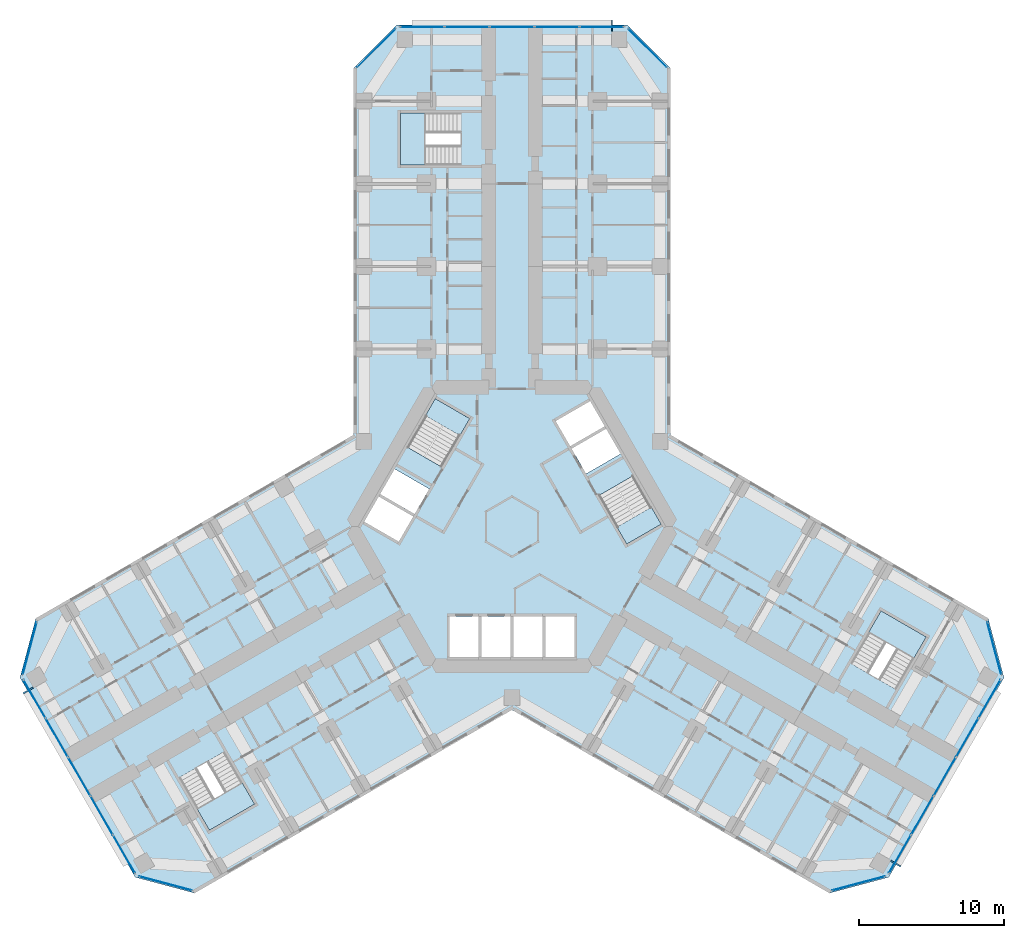
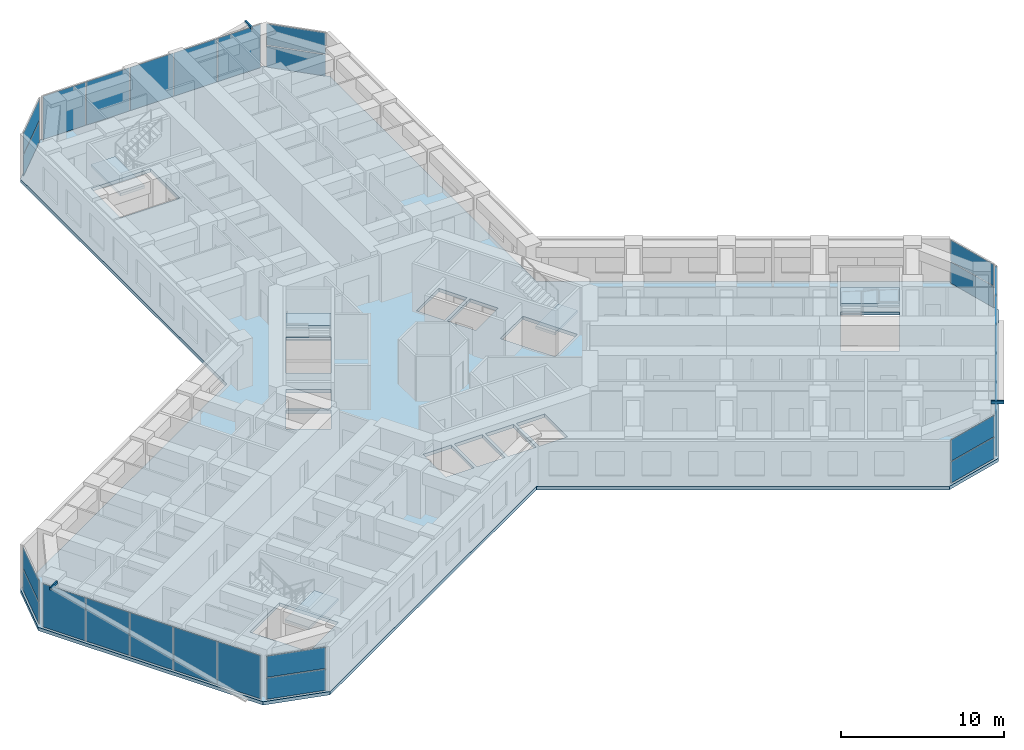
# One storey, part 9 of 21: 27 plates, 6 slabs, 3 members, 14 elements without a shape of their own.
"""IFC4 building model written with IfcOpenShell, lengths in metres."""

from ifc_helpers import new_model, si_unit, direction, frame, origin, origin_2d, place, context, subcontext, project, spatial, polyline, rectangle, hollow_rectangle, outline, extrude, material, layer, layer_set, material_profile, profile_set, type_object, element, aggregate, save


model = new_model("IFC4")

# Units and contexts
model_context = context("Model", 3, precision=1e-05, world=origin(), true_north=direction((0.0, 1.0)))
body_context = subcontext(model_context, "Body", "Model", "MODEL_VIEW")
ifc_project = project(units=[si_unit("LENGTHUNIT", "METRE"), si_unit("AREAUNIT", "SQUARE_METRE"), si_unit("VOLUMEUNIT", "CUBIC_METRE"), si_unit("PLANEANGLEUNIT", "RADIAN"), si_unit("MASSUNIT", "GRAM", prefix="KILO")], contexts=[model_context])

# Site, building, storey
site_placement = place(None, origin())
site = spatial("IfcSite", under=ifc_project, at=site_placement, CompositionType="ELEMENT")
building_placement = place(site_placement, origin())
building = spatial("IfcBuilding", under=site, at=building_placement, Name="Kosmar Iwan School Tower", CompositionType="ELEMENT")
storey_placement = place(building_placement, frame((0.0, 0.0, 43.0)))
storey = spatial("IfcBuildingStorey", under=building, at=storey_placement, Name="L09", CompositionType="ELEMENT", Elevation=43.0)

# Members
ifc_material_1 = material(Name="Steel S355", Category="steel")
ifc_material_profile = material_profile(ifc_material_1, hollow_rectangle(XDim=0.10009765625, YDim=0.199951171875, WallThickness=0.008056640625, at=origin_2d()), Name="RHS 200x100x8")
ifc_profile_set = profile_set([ifc_material_profile], Name="Steel S355")
member_type = type_object("IfcMemberType", Name="Fin bracket RHS 200x100", PredefinedType="USERDEFINED", material=ifc_profile_set)
member_placement = place(storey_placement, frame((26.125732421875, -23.049072265625, 3.47509765625), z_axis=(0.866017831539, -0.500013115284, 0.0), x_axis=(0.500013115284, 0.866017831539, 0.0)))
element("IfcMember", 1, at=member_placement, inside=storey, type_object=member_type, Name="Fin bracket L10", ObjectType="FIN BRACKET", PredefinedType="USERDEFINED", context=body_context, shape_type="SweptSolid", body=[
    extrude(hollow_rectangle(XDim=0.10009765625, YDim=0.199951171875, WallThickness=0.008056640625, at=origin_2d()), origin(), (0.0, 0.0, 1.0), 0.7998046875),
])
for number, where, z_axis, x_axis, name in (
    (2, (6.898193359375, 34.14990234375, 3.47509765625), (0.0, 1.0, 0.0), (-1.0, 0.0, 0.0), "Fin bracket L10"),
    (3, (-33.02392578125, -11.10107421875, 3.47509765625), (-0.866094119867, -0.499880961361, 0.0), (0.499880961361, -0.866094119867, 0.0), "Fin bracket L10"),
):
    element("IfcMember", number, at=place(storey_placement, frame(where, z_axis=z_axis, x_axis=x_axis)), inside=storey, type_object=member_type, Name=name, ObjectType="FIN BRACKET", PredefinedType="USERDEFINED", context=body_context, shape_type="SweptSolid", body=[
        extrude(hollow_rectangle(XDim=0.10009765625, YDim=0.199951171875, WallThickness=0.008056640625, at=origin_2d()), origin(), (0.0, 0.0, 1.0), 0.800048828125),
    ])

# Curtain wall, plates
ifc_material_2 = material(Name="Dark glass in black aluminium frame", Category="aluminium")
curtain_wall_type_1 = type_object("IfcCurtainWallType", Name="Chamfer curtain wall dark glass", PredefinedType="USERDEFINED", material=ifc_material_2)
curtain_wall_1_placement = place(storey_placement, origin())
curtain_wall_1 = element("IfcCurtainWall", 4, at=curtain_wall_1_placement, inside=storey, type_object=curtain_wall_type_1, Name="Curtain wall L09-F02", ObjectType="FACETED CURTAIN WALL", PredefinedType="USERDEFINED")
ifc_material_3 = material(Name="Dark glass", Category="glass")
ifc_layer_1 = layer(ifc_material_3, 0.028076171875)
ifc_layer_set_1 = layer_set([ifc_layer_1], Name="Dark glass panel 28")
plate_type = type_object("IfcPlateType", Name="Dark glass panel 28", PredefinedType="CURTAIN_PANEL", material=ifc_layer_set_1)
plate_1_placement = place(storey_placement, frame((23.908203125, -24.61328125, 0.06005859375), z_axis=(0.0, 0.0, 1.0), x_axis=(0.965925875495, 0.258818861462, 0.0)))
plate_1 = element("IfcPlate", 5, at=plate_1_placement, type_object=plate_type, Name="CW2 panel 1.1", PredefinedType="CURTAIN_PANEL", context=body_context, shape_type="SweptSolid", body=[
    extrude(rectangle(XDim=3.718994140625, YDim=0.028076171875, at=origin_2d()), origin(), (0.0, 0.0, 1.0), 1.5849609375),
])
plate_2_placement = place(storey_placement, frame((23.908203125, -24.61328125, 1.705078125), z_axis=(0.0, 0.0, 1.0), x_axis=(0.965925875495, 0.258818861462, 0.0)))
plate_2 = element("IfcPlate", 6, at=plate_2_placement, type_object=plate_type, Name="CW2 panel 1.2", PredefinedType="CURTAIN_PANEL", context=body_context, shape_type="SweptSolid", body=[
    extrude(rectangle(XDim=3.718994140625, YDim=0.028076171875, at=origin_2d()), origin(), (0.0, 0.0, 1.0), 1.5849609375),
])
aggregate(curtain_wall_1, [plate_1, plate_2])

ifc_material_4 = material(Name="Dark glass in black aluminium frame", Category="aluminium")
curtain_wall_type_2 = type_object("IfcCurtainWallType", Name="Tower curtain wall dark glass", PredefinedType="USERDEFINED", material=ifc_material_4)
curtain_wall_2_placement = place(storey_placement, origin())
curtain_wall_2 = element("IfcCurtainWall", 7, at=curtain_wall_2_placement, inside=storey, type_object=curtain_wall_type_2, Name="Curtain wall L09-F03", ObjectType="UNITISED CURTAIN WALL", PredefinedType="USERDEFINED")
plate_3_placement = place(storey_placement, frame((26.764404296875, -22.592529296875, 0.06005859375), z_axis=(0.0, 0.0, 1.0), x_axis=(0.499999997325, 0.866025405329, 0.0)))
plate_3 = element("IfcPlate", 8, at=plate_3_placement, type_object=plate_type, Name="CW1 panel 1.1", PredefinedType="CURTAIN_PANEL", context=body_context, shape_type="SweptSolid", body=[
    extrude(rectangle(XDim=3.00927734375, YDim=0.028076171875, at=origin_2d()), origin(), (0.0, 0.0, 1.0), 3.22998046875),
])
plate_4_placement = place(storey_placement, frame((28.306640625, -19.921630859375, 0.06005859375), z_axis=(0.0, 0.0, 1.0), x_axis=(0.499999997325, 0.866025405329, 0.0)))
plate_4 = element("IfcPlate", 9, at=plate_4_placement, type_object=plate_type, Name="CW1 panel 2.1", PredefinedType="CURTAIN_PANEL", context=body_context, shape_type="SweptSolid", body=[
    extrude(rectangle(XDim=3.039306640625, YDim=0.028076171875, at=origin_2d()), origin(), (0.0, 0.0, 1.0), 3.22998046875),
])
plate_5_placement = place(storey_placement, frame((29.856201171875, -17.237548828125, 0.06005859375), z_axis=(0.0, 0.0, 1.0), x_axis=(0.499999997325, 0.866025405329, 0.0)))
plate_5 = element("IfcPlate", 10, at=plate_5_placement, type_object=plate_type, Name="CW1 panel 3.1", PredefinedType="CURTAIN_PANEL", context=body_context, shape_type="SweptSolid", body=[
    extrude(rectangle(XDim=3.039306640625, YDim=0.028076171875, at=origin_2d()), origin(), (0.0, 0.0, 1.0), 3.22998046875),
])
plate_6_placement = place(storey_placement, frame((31.40576171875, -14.553466796875, 0.06005859375), z_axis=(0.0, 0.0, 1.0), x_axis=(0.499999997325, 0.866025405329, 0.0)))
plate_6 = element("IfcPlate", 11, at=plate_6_placement, type_object=plate_type, Name="CW1 panel 4.1", PredefinedType="CURTAIN_PANEL", context=body_context, shape_type="SweptSolid", body=[
    extrude(rectangle(XDim=3.039306640625, YDim=0.028076171875, at=origin_2d()), origin(), (0.0, 0.0, 1.0), 3.22998046875),
])
plate_7_placement = place(storey_placement, frame((32.947998046875, -11.88232421875, 0.06005859375), z_axis=(0.0, 0.0, 1.0), x_axis=(0.499999997325, 0.866025405329, 0.0)))
plate_7 = element("IfcPlate", 12, at=plate_7_placement, type_object=plate_type, Name="CW1 panel 5.1", PredefinedType="CURTAIN_PANEL", context=body_context, shape_type="SweptSolid", body=[
    extrude(rectangle(XDim=3.00927734375, YDim=0.028076171875, at=origin_2d()), origin(), (0.0, 0.0, 1.0), 3.22998046875),
])
aggregate(curtain_wall_2, [plate_3, plate_4, plate_5, plate_6, plate_7])

curtain_wall_3_placement = place(storey_placement, origin())
curtain_wall_3 = element("IfcCurtainWall", 13, at=curtain_wall_3_placement, inside=storey, type_object=curtain_wall_type_1, Name="Curtain wall L09-F04", ObjectType="FACETED CURTAIN WALL", PredefinedType="USERDEFINED")
plate_8_placement = place(storey_placement, frame((33.269775390625, -8.3984375, 0.06005859375), z_axis=(0.0, 0.0, 1.0), x_axis=(-0.258818861462, 0.965925875495, 0.0)))
plate_8 = element("IfcPlate", 14, at=plate_8_placement, type_object=plate_type, Name="CW2 panel 1.1", PredefinedType="CURTAIN_PANEL", context=body_context, shape_type="SweptSolid", body=[
    extrude(rectangle(XDim=3.718994140625, YDim=0.028076171875, at=origin_2d()), origin(), (0.0, 0.0, 1.0), 1.5849609375),
])
plate_9_placement = place(storey_placement, frame((33.269775390625, -8.3984375, 1.705078125), z_axis=(0.0, 0.0, 1.0), x_axis=(-0.258818861462, 0.965925875495, 0.0)))
plate_9 = element("IfcPlate", 15, at=plate_9_placement, type_object=plate_type, Name="CW2 panel 1.2", PredefinedType="CURTAIN_PANEL", context=body_context, shape_type="SweptSolid", body=[
    extrude(rectangle(XDim=3.718994140625, YDim=0.028076171875, at=origin_2d()), origin(), (0.0, 0.0, 1.0), 1.5849609375),
])
aggregate(curtain_wall_3, [plate_8, plate_9])

curtain_wall_4_placement = place(storey_placement, origin())
curtain_wall_4 = element("IfcCurtainWall", 16, at=curtain_wall_4_placement, inside=storey, type_object=curtain_wall_type_1, Name="Curtain wall L09-F07", ObjectType="FACETED CURTAIN WALL", PredefinedType="USERDEFINED")
plate_10_placement = place(storey_placement, frame((9.361572265625, 33.01171875, 0.06005859375), z_axis=(0.0, 0.0, 1.0), x_axis=(-0.707106781187, 0.707106781187, 0.0)))
plate_10 = element("IfcPlate", 17, at=plate_10_placement, type_object=plate_type, Name="CW2 panel 1.1", PredefinedType="CURTAIN_PANEL", context=body_context, shape_type="SweptSolid", body=[
    extrude(rectangle(XDim=3.718994140625, YDim=0.028076171875, at=origin_2d()), origin(), (0.0, 0.0, 1.0), 1.5849609375),
])
plate_11_placement = place(storey_placement, frame((9.361572265625, 33.01171875, 1.705078125), z_axis=(0.0, 0.0, 1.0), x_axis=(-0.707106781187, 0.707106781187, 0.0)))
plate_11 = element("IfcPlate", 18, at=plate_11_placement, type_object=plate_type, Name="CW2 panel 1.2", PredefinedType="CURTAIN_PANEL", context=body_context, shape_type="SweptSolid", body=[
    extrude(rectangle(XDim=3.718994140625, YDim=0.028076171875, at=origin_2d()), origin(), (0.0, 0.0, 1.0), 1.5849609375),
])
aggregate(curtain_wall_4, [plate_10, plate_11])

curtain_wall_5_placement = place(storey_placement, origin())
curtain_wall_5 = element("IfcCurtainWall", 19, at=curtain_wall_5_placement, inside=storey, type_object=curtain_wall_type_2, Name="Curtain wall L09-F08", ObjectType="UNITISED CURTAIN WALL", PredefinedType="USERDEFINED")
plate_12_placement = place(storey_placement, frame((6.18359375, 34.47509765625, 0.06005859375), z_axis=(0.0, 0.0, 1.0), x_axis=(-1.0, 0.0, 0.0)))
plate_12 = element("IfcPlate", 20, at=plate_12_placement, type_object=plate_type, Name="CW1 panel 1.1", PredefinedType="CURTAIN_PANEL", context=body_context, shape_type="SweptSolid", body=[
    extrude(rectangle(XDim=3.00927734375, YDim=0.028076171875, at=origin_2d()), origin(), (0.0, 0.0, 1.0), 3.22998046875),
])
plate_13_placement = place(storey_placement, frame((3.099365234375, 34.47509765625, 0.06005859375), z_axis=(0.0, 0.0, 1.0), x_axis=(-1.0, 0.0, 0.0)))
plate_13 = element("IfcPlate", 21, at=plate_13_placement, type_object=plate_type, Name="CW1 panel 2.1", PredefinedType="CURTAIN_PANEL", context=body_context, shape_type="SweptSolid", body=[
    extrude(rectangle(XDim=3.039306640625, YDim=0.028076171875, at=origin_2d()), origin(), (0.0, 0.0, 1.0), 3.22998046875),
])
plate_14_placement = place(storey_placement, frame((0.0, 34.47509765625, 0.06005859375), z_axis=(0.0, 0.0, 1.0), x_axis=(-1.0, 0.0, 0.0)))
plate_14 = element("IfcPlate", 22, at=plate_14_placement, type_object=plate_type, Name="CW1 panel 3.1", PredefinedType="CURTAIN_PANEL", context=body_context, shape_type="SweptSolid", body=[
    extrude(rectangle(XDim=3.039306640625, YDim=0.028076171875, at=origin_2d()), origin(), (0.0, 0.0, 1.0), 3.22998046875),
])
plate_15_placement = place(storey_placement, frame((-3.099365234375, 34.47509765625, 0.06005859375), z_axis=(0.0, 0.0, 1.0), x_axis=(-1.0, 0.0, 0.0)))
plate_15 = element("IfcPlate", 23, at=plate_15_placement, type_object=plate_type, Name="CW1 panel 4.1", PredefinedType="CURTAIN_PANEL", context=body_context, shape_type="SweptSolid", body=[
    extrude(rectangle(XDim=3.039306640625, YDim=0.028076171875, at=origin_2d()), origin(), (0.0, 0.0, 1.0), 3.22998046875),
])
plate_16_placement = place(storey_placement, frame((-6.18359375, 34.47509765625, 0.06005859375), z_axis=(0.0, 0.0, 1.0), x_axis=(-1.0, 0.0, 0.0)))
plate_16 = element("IfcPlate", 24, at=plate_16_placement, type_object=plate_type, Name="CW1 panel 5.1", PredefinedType="CURTAIN_PANEL", context=body_context, shape_type="SweptSolid", body=[
    extrude(rectangle(XDim=3.00927734375, YDim=0.028076171875, at=origin_2d()), origin(), (0.0, 0.0, 1.0), 3.22998046875),
])
aggregate(curtain_wall_5, [plate_12, plate_13, plate_14, plate_15, plate_16])

curtain_wall_6_placement = place(storey_placement, origin())
curtain_wall_6 = element("IfcCurtainWall", 25, at=curtain_wall_6_placement, inside=storey, type_object=curtain_wall_type_1, Name="Curtain wall L09-F09", ObjectType="FACETED CURTAIN WALL", PredefinedType="USERDEFINED")
plate_17_placement = place(storey_placement, frame((-9.361572265625, 33.01171875, 0.06005859375), z_axis=(0.0, 0.0, 1.0), x_axis=(-0.707106781187, -0.707106781187, 0.0)))
plate_17 = element("IfcPlate", 26, at=plate_17_placement, type_object=plate_type, Name="CW2 panel 1.1", PredefinedType="CURTAIN_PANEL", context=body_context, shape_type="SweptSolid", body=[
    extrude(rectangle(XDim=3.718994140625, YDim=0.028076171875, at=origin_2d()), origin(), (0.0, 0.0, 1.0), 1.5849609375),
])
plate_18_placement = place(storey_placement, frame((-9.361572265625, 33.01171875, 1.705078125), z_axis=(0.0, 0.0, 1.0), x_axis=(-0.707106781187, -0.707106781187, 0.0)))
plate_18 = element("IfcPlate", 27, at=plate_18_placement, type_object=plate_type, Name="CW2 panel 1.2", PredefinedType="CURTAIN_PANEL", context=body_context, shape_type="SweptSolid", body=[
    extrude(rectangle(XDim=3.718994140625, YDim=0.028076171875, at=origin_2d()), origin(), (0.0, 0.0, 1.0), 1.5849609375),
])
aggregate(curtain_wall_6, [plate_17, plate_18])

curtain_wall_7_placement = place(storey_placement, origin())
curtain_wall_7 = element("IfcCurtainWall", 28, at=curtain_wall_7_placement, inside=storey, type_object=curtain_wall_type_1, Name="Curtain wall L09-F12", ObjectType="FACETED CURTAIN WALL", PredefinedType="USERDEFINED")
plate_19_placement = place(storey_placement, frame((-33.269775390625, -8.3984375, 0.06005859375), z_axis=(0.0, 0.0, 1.0), x_axis=(-0.258818861462, -0.965925875495, 0.0)))
plate_19 = element("IfcPlate", 29, at=plate_19_placement, type_object=plate_type, Name="CW2 panel 1.1", PredefinedType="CURTAIN_PANEL", context=body_context, shape_type="SweptSolid", body=[
    extrude(rectangle(XDim=3.718994140625, YDim=0.028076171875, at=origin_2d()), origin(), (0.0, 0.0, 1.0), 1.5849609375),
])
plate_20_placement = place(storey_placement, frame((-33.269775390625, -8.3984375, 1.705078125), z_axis=(0.0, 0.0, 1.0), x_axis=(-0.258818861462, -0.965925875495, 0.0)))
plate_20 = element("IfcPlate", 30, at=plate_20_placement, type_object=plate_type, Name="CW2 panel 1.2", PredefinedType="CURTAIN_PANEL", context=body_context, shape_type="SweptSolid", body=[
    extrude(rectangle(XDim=3.718994140625, YDim=0.028076171875, at=origin_2d()), origin(), (0.0, 0.0, 1.0), 1.5849609375),
])
aggregate(curtain_wall_7, [plate_19, plate_20])

curtain_wall_8_placement = place(storey_placement, origin())
curtain_wall_8 = element("IfcCurtainWall", 31, at=curtain_wall_8_placement, inside=storey, type_object=curtain_wall_type_2, Name="Curtain wall L09-F13", ObjectType="UNITISED CURTAIN WALL", PredefinedType="USERDEFINED")
plate_21_placement = place(storey_placement, frame((-32.947998046875, -11.88232421875, 0.06005859375), z_axis=(0.0, 0.0, 1.0), x_axis=(0.499999997325, -0.866025405329, 0.0)))
plate_21 = element("IfcPlate", 32, at=plate_21_placement, type_object=plate_type, Name="CW1 panel 1.1", PredefinedType="CURTAIN_PANEL", context=body_context, shape_type="SweptSolid", body=[
    extrude(rectangle(XDim=3.00927734375, YDim=0.028076171875, at=origin_2d()), origin(), (0.0, 0.0, 1.0), 3.22998046875),
])
plate_22_placement = place(storey_placement, frame((-31.40576171875, -14.553466796875, 0.06005859375), z_axis=(0.0, 0.0, 1.0), x_axis=(0.499999997325, -0.866025405329, 0.0)))
plate_22 = element("IfcPlate", 33, at=plate_22_placement, type_object=plate_type, Name="CW1 panel 2.1", PredefinedType="CURTAIN_PANEL", context=body_context, shape_type="SweptSolid", body=[
    extrude(rectangle(XDim=3.039306640625, YDim=0.028076171875, at=origin_2d()), origin(), (0.0, 0.0, 1.0), 3.22998046875),
])
plate_23_placement = place(storey_placement, frame((-29.856201171875, -17.237548828125, 0.06005859375), z_axis=(0.0, 0.0, 1.0), x_axis=(0.499999997325, -0.866025405329, 0.0)))
plate_23 = element("IfcPlate", 34, at=plate_23_placement, type_object=plate_type, Name="CW1 panel 3.1", PredefinedType="CURTAIN_PANEL", context=body_context, shape_type="SweptSolid", body=[
    extrude(rectangle(XDim=3.039306640625, YDim=0.028076171875, at=origin_2d()), origin(), (0.0, 0.0, 1.0), 3.22998046875),
])
plate_24_placement = place(storey_placement, frame((-28.306640625, -19.921630859375, 0.06005859375), z_axis=(0.0, 0.0, 1.0), x_axis=(0.499999997325, -0.866025405329, 0.0)))
plate_24 = element("IfcPlate", 35, at=plate_24_placement, type_object=plate_type, Name="CW1 panel 4.1", PredefinedType="CURTAIN_PANEL", context=body_context, shape_type="SweptSolid", body=[
    extrude(rectangle(XDim=3.039306640625, YDim=0.028076171875, at=origin_2d()), origin(), (0.0, 0.0, 1.0), 3.22998046875),
])
plate_25_placement = place(storey_placement, frame((-26.764404296875, -22.592529296875, 0.06005859375), z_axis=(0.0, 0.0, 1.0), x_axis=(0.499999997325, -0.866025405329, 0.0)))
plate_25 = element("IfcPlate", 36, at=plate_25_placement, type_object=plate_type, Name="CW1 panel 5.1", PredefinedType="CURTAIN_PANEL", context=body_context, shape_type="SweptSolid", body=[
    extrude(rectangle(XDim=3.00927734375, YDim=0.028076171875, at=origin_2d()), origin(), (0.0, 0.0, 1.0), 3.22998046875),
])
aggregate(curtain_wall_8, [plate_21, plate_22, plate_23, plate_24, plate_25])

curtain_wall_9_placement = place(storey_placement, origin())
curtain_wall_9 = element("IfcCurtainWall", 37, at=curtain_wall_9_placement, inside=storey, type_object=curtain_wall_type_1, Name="Curtain wall L09-F14", ObjectType="FACETED CURTAIN WALL", PredefinedType="USERDEFINED")
plate_26_placement = place(storey_placement, frame((-23.908203125, -24.61328125, 0.06005859375), z_axis=(0.0, 0.0, 1.0), x_axis=(0.965925875495, -0.258818861462, 0.0)))
plate_26 = element("IfcPlate", 38, at=plate_26_placement, type_object=plate_type, Name="CW2 panel 1.1", PredefinedType="CURTAIN_PANEL", context=body_context, shape_type="SweptSolid", body=[
    extrude(rectangle(XDim=3.718994140625, YDim=0.028076171875, at=origin_2d()), origin(), (0.0, 0.0, 1.0), 1.5849609375),
])
plate_27_placement = place(storey_placement, frame((-23.908203125, -24.61328125, 1.705078125), z_axis=(0.0, 0.0, 1.0), x_axis=(0.965925875495, -0.258818861462, 0.0)))
plate_27 = element("IfcPlate", 39, at=plate_27_placement, type_object=plate_type, Name="CW2 panel 1.2", PredefinedType="CURTAIN_PANEL", context=body_context, shape_type="SweptSolid", body=[
    extrude(rectangle(XDim=3.718994140625, YDim=0.028076171875, at=origin_2d()), origin(), (0.0, 0.0, 1.0), 1.5849609375),
])
aggregate(curtain_wall_9, [plate_26, plate_27])

# Stair, slab
ifc_material_5 = material(Name="Concrete C35/45", Category="concrete")
stair_type_1 = type_object("IfcStairType", Name="Escape stair 3600", PredefinedType="HALF_TURN_STAIR", material=ifc_material_5)
stair_1_placement = place(storey_placement, origin())
stair_1 = element("IfcStair", 40, at=stair_1_placement, inside=storey, type_object=stair_type_1, Name="Stair WS1 L09", PredefinedType="HALF_TURN_STAIR")
ifc_material_6 = material(Name="Concrete C35/45", Category="concrete")
ifc_layer_2 = layer(ifc_material_6, 0.199951171875)
ifc_layer_set_2 = layer_set([ifc_layer_2], Name="Escape stair landing 200")
slab_type_1 = type_object("IfcSlabType", Name="Escape stair landing 200", PredefinedType="LANDING", material=ifc_layer_set_2)
slab_1_placement = place(storey_placement, frame((0.0, 0.0, 1.60009765625)))
slab_1 = element("IfcSlab", 41, at=slab_1_placement, type_object=slab_type_1, Name="WS1 landing 1", PredefinedType="LANDING", context=body_context, shape_type="SweptSolid", body=[
    extrude(outline(polyline([(-6.0, 24.949951171875), (-6.0, 28.550048828125), (-7.699951171875, 28.550048828125), (-7.699951171875, 24.949951171875), (-6.0, 24.949951171875)])), origin(), (0.0, 0.0, 1.0), 0.199951171875),
])
aggregate(stair_1, [slab_1])

stair_2_placement = place(storey_placement, origin())
stair_2 = element("IfcStair", 42, at=stair_2_placement, inside=storey, type_object=stair_type_1, Name="Stair WS2 L09", PredefinedType="HALF_TURN_STAIR")
slab_2_placement = place(storey_placement, frame((0.0, 0.0, 1.60009765625)))
slab_2 = element("IfcSlab", 43, at=slab_2_placement, type_object=slab_type_1, Name="WS2 landing 1", PredefinedType="LANDING", context=body_context, shape_type="SweptSolid", body=[
    extrude(outline(polyline([(-18.607421875, -17.671142578125), (-21.72509765625, -19.47119140625), (-20.875, -20.943359375), (-17.75732421875, -19.143310546875), (-18.607421875, -17.671142578125)])), origin(), (0.0, 0.0, 1.0), 0.199951171875),
])
aggregate(stair_2, [slab_2])

stair_3_placement = place(storey_placement, origin())
stair_3 = element("IfcStair", 44, at=stair_3_placement, inside=storey, type_object=stair_type_1, Name="Stair WS3 L09", PredefinedType="HALF_TURN_STAIR")
slab_3_placement = place(storey_placement, frame((0.0, 0.0, 1.60009765625)))
slab_3 = element("IfcSlab", 45, at=slab_3_placement, type_object=slab_type_1, Name="WS3 landing 1", PredefinedType="LANDING", context=body_context, shape_type="SweptSolid", body=[
    extrude(outline(polyline([(24.607421875, -7.27880859375), (27.72509765625, -9.078857421875), (28.574951171875, -7.606689453125), (25.457275390625, -5.806640625), (24.607421875, -7.27880859375)])), origin(), (0.0, 0.0, 1.0), 0.199951171875),
])
aggregate(stair_3, [slab_3])

# Slab
ifc_material_7 = material(Name="Concrete C35/45", Category="concrete")
ifc_layer_3 = layer(ifc_material_7, 0.25)
ifc_layer_set_3 = layer_set([ifc_layer_3], Name="Floor slab 250")
slab_type_2 = type_object("IfcSlabType", Name="Floor slab 250", PredefinedType="FLOOR", material=ifc_layer_set_3)
slab_4_placement = place(storey_placement, frame((0.0, 0.0, -0.25)))
element("IfcSlab", 46, at=slab_4_placement, inside=storey, type_object=slab_type_2, Name="L09 floor slab", PredefinedType="FLOOR", context=body_context, shape_type="SweptSolid", body=[
    extrude(outline(polyline([(-21.891357421875, -25.282958984375), (0.0, -12.64404296875), (21.891357421875, -25.282958984375), (25.989501953125, -24.184814453125), (33.939453125, -10.4150390625), (32.84130859375, -6.317138671875), (10.949951171875, 6.322021484375), (10.949951171875, 31.60009765625), (7.949951171875, 34.60009765625), (-7.949951171875, 34.60009765625), (-10.949951171875, 31.60009765625), (-10.949951171875, 6.322021484375), (-32.84130859375, -6.317138671875), (-33.939453125, -10.4150390625), (-25.989501953125, -24.184814453125), (-21.891357421875, -25.282958984375)]), holes=[polyline([(7.91259765625, -1.205078125), (10.294189453125, 0.169921875), (8.3642578125, 3.5126953125), (5.982666015625, 2.1376953125), (7.91259765625, -1.205078125)]), polyline([(-2.91259765625, 7.455078125), (-5.294189453125, 8.830078125), (-7.22412109375, 5.4873046875), (-4.8427734375, 4.1123046875), (-2.91259765625, 7.455078125)]), polyline([(-5.712646484375, 2.60546875), (-8.09423828125, 3.98046875), (-9.09423828125, 2.248291015625), (-6.712646484375, 0.873291015625), (-5.712646484375, 2.60546875)]), polyline([(-6.812744140625, 0.7001953125), (-9.1943359375, 2.0751953125), (-10.1943359375, 0.343017578125), (-7.812744140625, -1.031982421875), (-6.812744140625, 0.7001953125)]), polyline([(5.112548828125, 3.64453125), (7.494140625, 5.01953125), (6.494140625, 6.751708984375), (4.112548828125, 5.376708984375), (5.112548828125, 3.64453125)]), polyline([(4.0126953125, 5.5498046875), (6.394287109375, 6.9248046875), (5.394287109375, 8.656982421875), (3.0126953125, 7.281982421875), (4.0126953125, 5.5498046875)]), polyline([(-4.300048828125, -6.199951171875), (-4.300048828125, -9.0), (-2.300048828125, -9.0), (-2.300048828125, -6.199951171875), (-4.300048828125, -6.199951171875)]), polyline([(-2.10009765625, -6.199951171875), (-2.10009765625, -9.0), (-0.10009765625, -9.0), (-0.10009765625, -6.199951171875), (-2.10009765625, -6.199951171875)]), polyline([(0.10009765625, -6.199951171875), (0.10009765625, -9.0), (2.10009765625, -9.0), (2.10009765625, -6.199951171875), (0.10009765625, -6.199951171875)]), polyline([(2.300048828125, -6.199951171875), (2.300048828125, -9.0), (4.300048828125, -9.0), (4.300048828125, -6.199951171875), (2.300048828125, -6.199951171875)]), polyline([(-3.52001953125, 24.949951171875), (-3.52001953125, 28.550048828125), (-7.699951171875, 28.550048828125), (-7.699951171875, 24.949951171875), (-3.52001953125, 24.949951171875)]), polyline([(-19.847412109375, -15.5234375), (-22.965087890625, -17.323486328125), (-20.875, -20.943359375), (-17.75732421875, -19.143310546875), (-19.847412109375, -15.5234375)]), polyline([(23.367431640625, -9.426513671875), (26.485107421875, -11.2265625), (28.574951171875, -7.606689453125), (25.457275390625, -5.806640625), (23.367431640625, -9.426513671875)])]), origin(), (0.0, 0.0, 1.0), 0.25),
])

# Stair, slab
ifc_material_8 = material(Name="Concrete C35/45", Category="concrete")
stair_type_2 = type_object("IfcStairType", Name="Core stair 2750", PredefinedType="HALF_TURN_STAIR", material=ifc_material_8)
stair_4_placement = place(storey_placement, origin())
stair_4 = element("IfcStair", 47, at=stair_4_placement, inside=storey, type_object=stair_type_2, Name="Stair ST2 L09", PredefinedType="HALF_TURN_STAIR")
ifc_material_9 = material(Name="Concrete C35/45", Category="concrete")
ifc_layer_4 = layer(ifc_material_9, 0.199951171875)
ifc_layer_set_4 = layer_set([ifc_layer_4], Name="Stair landing 200")
slab_type_3 = type_object("IfcSlabType", Name="Stair landing 200", PredefinedType="LANDING", material=ifc_layer_set_4)
slab_5_placement = place(storey_placement, frame((0.0, 0.0, 1.60009765625)))
slab_5 = element("IfcSlab", 48, at=slab_5_placement, type_object=slab_type_3, Name="ST2 landing 1", PredefinedType="LANDING", context=body_context, shape_type="SweptSolid", body=[
    extrude(outline(polyline([(-2.91259765625, 7.455078125), (-5.294189453125, 8.830078125), (-5.97412109375, 7.65234375), (-3.5927734375, 6.27734375), (-2.91259765625, 7.455078125)])), origin(), (0.0, 0.0, 1.0), 0.199951171875),
])
aggregate(stair_4, [slab_5])

stair_5_placement = place(storey_placement, origin())
stair_5 = element("IfcStair", 49, at=stair_5_placement, inside=storey, type_object=stair_type_2, Name="Stair ST1 L09", PredefinedType="HALF_TURN_STAIR")
slab_6_placement = place(storey_placement, frame((0.0, 0.0, 1.60009765625)))
slab_6 = element("IfcSlab", 50, at=slab_6_placement, type_object=slab_type_3, Name="ST1 landing 1", PredefinedType="LANDING", context=body_context, shape_type="SweptSolid", body=[
    extrude(outline(polyline([(7.91259765625, -1.205078125), (10.294189453125, 0.169921875), (9.6142578125, 1.34765625), (7.232666015625, -0.02734375), (7.91259765625, -1.205078125)])), origin(), (0.0, 0.0, 1.0), 0.199951171875),
])
aggregate(stair_5, [slab_6])

save(model, "model.ifc")
